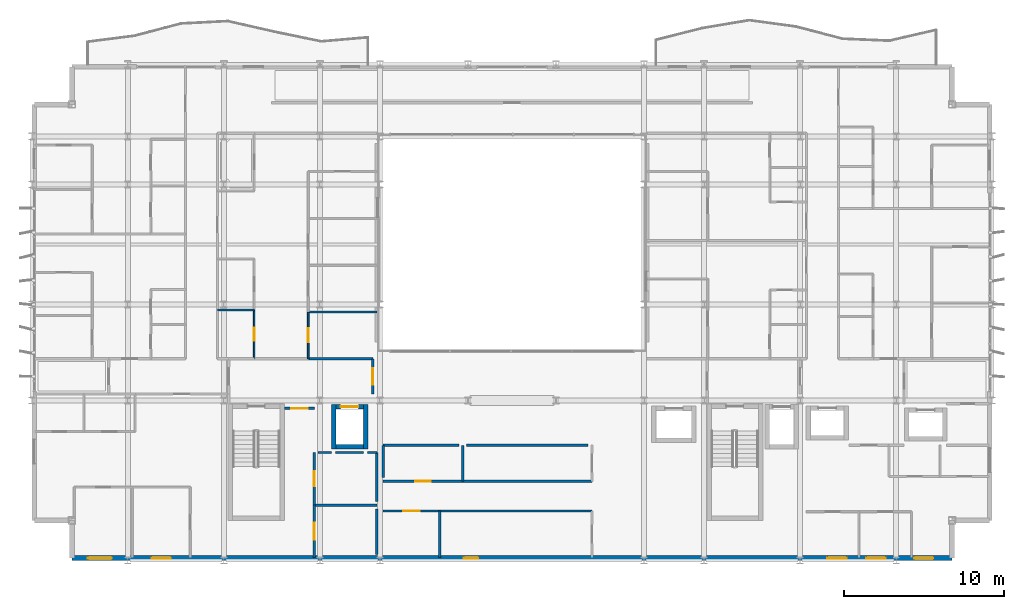
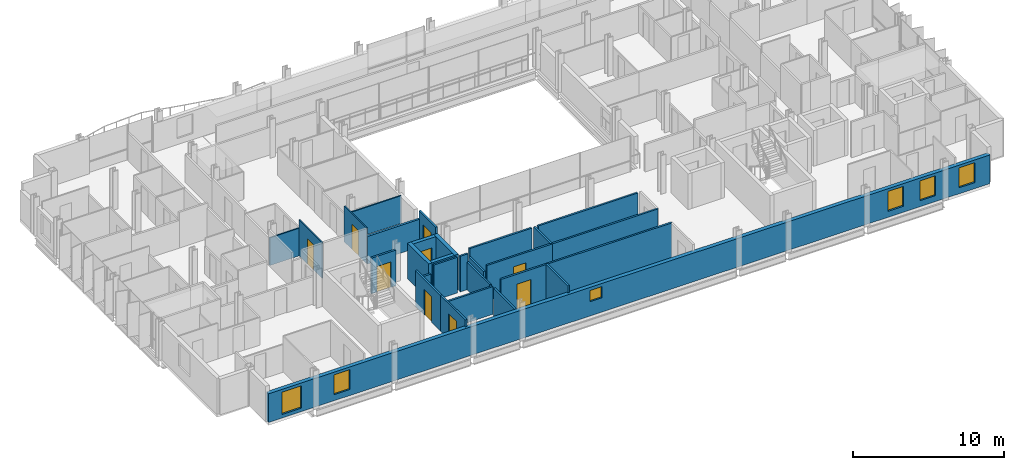
# One storey, part 28 of 38: 29 walls, 9 doors, 6 windows, 15 openings.
"""IFC4 building model written with IfcOpenShell, lengths in metres."""

import ifcopenshell
import ifcopenshell.guid

model = None  # the IFC model being written
_history = None  # IfcOwnerHistory: only IFC2X3 demands one
_inside = {}  # id of a spatial element -> (the spatial element, [elements in it])
_under = {}  # id of a project, library or spatial element -> (it, [spatial elements below it])
_declared = {}  # id of a project -> (the project, [libraries it declares])
_typed = {}  # id of a type object -> (the type object, [elements of that type])
_made_of = {}  # id of a material, layer set ... -> (it, [elements and type objects made of it])


def new_model(schema):
    """Start an empty IFC model of exactly this schema.

    Asked for "IFC4X3", IfcOpenShell would pick the latest addendum, in which some entities
    have other attributes; the version numbers below select the first issue.
    IFC2X3 requires an IfcOwnerHistory on every rooted entity: one is made here for all.
    """
    global model, _history
    if schema == "IFC4X3":
        model = ifcopenshell.file(schema_version=(4, 3, 0, 0))
    else:
        model = ifcopenshell.file(schema=schema)
    _inside.clear()
    _under.clear()
    _declared.clear()
    _typed.clear()
    _made_of.clear()
    _history = None
    if model.schema == "IFC2X3":
        org = make("IfcOrganization", Name="unknown")
        user = make(
            "IfcPersonAndOrganization",
            ThePerson=make("IfcPerson", FamilyName="unknown"),
            TheOrganization=org,
        )
        app = make(
            "IfcApplication",
            ApplicationDeveloper=org,
            Version="unknown",
            ApplicationFullName="unknown",
            ApplicationIdentifier="unknown",
        )
        _history = make(
            "IfcOwnerHistory",
            OwningUser=user,
            OwningApplication=app,
            ChangeAction="ADDED",
            CreationDate=0,
        )
    return model


def make(cls, **values):
    """One entity of the class cls with the attributes given. An attribute that is None is left unset."""
    return model.create_entity(
        cls, **{name: value for name, value in values.items() if value is not None}
    )


def rooted(cls, **values):
    """An entity with a GlobalId (a new one), such as an element, a storey or a relation."""
    return make(cls, GlobalId=ifcopenshell.guid.new(), OwnerHistory=_history, **values)


def si_unit(unit_type, name, prefix=None):
    """IfcSIUnit, for example si_unit("LENGTHUNIT", "METRE", prefix="MILLI")."""
    return make("IfcSIUnit", UnitType=unit_type, Prefix=prefix, Name=name)


def assignment(units):
    """IfcUnitAssignment: the units of a project."""
    return None if units is None else make("IfcUnitAssignment", Units=units)


def point(xyz):
    """IfcCartesianPoint."""
    return None if xyz is None else make("IfcCartesianPoint", Coordinates=xyz)


def direction(xyz):
    """IfcDirection."""
    return None if xyz is None else make("IfcDirection", DirectionRatios=xyz)


def frame(location, z_axis=None, x_axis=None):
    """IfcAxis2Placement3D, a coordinate frame: its origin and axes. An axis left out is left unset."""
    return make(
        "IfcAxis2Placement3D",
        Location=point(location),
        Axis=direction(z_axis),
        RefDirection=direction(x_axis),
    )


def frame_2d(location, x_axis=None):
    """IfcAxis2Placement2D, a coordinate frame in the plane: its origin and x axis."""
    return make(
        "IfcAxis2Placement2D", Location=point(location), RefDirection=direction(x_axis)
    )


def origin():
    """The frame at (0, 0, 0) with its axes left unset."""
    return frame((0.0, 0.0, 0.0))


def place(relative_to, where):
    """IfcLocalPlacement: puts the frame where relative to a parent placement (None: the world)."""
    return make(
        "IfcLocalPlacement", PlacementRelTo=relative_to, RelativePlacement=where
    )


def context(
    kind, dimensions, precision=None, world=None, true_north=None, identifier=None
):
    """IfcGeometricRepresentationContext, for example the 3D "Model" context."""
    return make(
        "IfcGeometricRepresentationContext",
        ContextIdentifier=identifier,
        ContextType=kind,
        CoordinateSpaceDimension=dimensions,
        Precision=precision,
        WorldCoordinateSystem=world,
        TrueNorth=true_north,
    )


def subcontext(parent, identifier, kind, view, scale=None):
    """IfcGeometricRepresentationSubContext, for example "Body" below "Model"."""
    return make(
        "IfcGeometricRepresentationSubContext",
        ContextIdentifier=identifier,
        ContextType=kind,
        ParentContext=parent,
        TargetScale=scale,
        TargetView=view,
    )


def project(units=None, contexts=None):
    """IfcProject with its units and contexts."""
    return rooted(
        "IfcProject",
        Name="project",
        RepresentationContexts=contexts,
        UnitsInContext=assignment(units),
    )


def spatial(cls, under=None, at=None, **own):
    """A site, building, storey or space (cls), placed at a placement, below another one or the project."""
    s = rooted(cls, ObjectPlacement=at, **own)
    if under is not None:
        _under.setdefault(under.id(), (under, []))[1].append(s)
    return s


def profile(cls, at=None, kind="AREA", **sizes):
    """A parametric profile (cls). Its sizes go by their IFC names, for example OverallWidth=200.0."""
    return make(cls, ProfileType=kind, Position=at, **sizes)


def rectangle(**sizes):
    """IfcRectangleProfileDef."""
    return profile("IfcRectangleProfileDef", **sizes)


def extrude(swept, where, along, depth):
    """IfcExtrudedAreaSolid: the profile swept, set in the frame where, extruded along a direction by depth."""
    return make(
        "IfcExtrudedAreaSolid",
        SweptArea=swept,
        Position=where,
        ExtrudedDirection=direction(along),
        Depth=depth,
    )


def shape(context_of_items, identifier, shape_type, items):
    """IfcShapeRepresentation: the items that make up one representation, for example the "Body"."""
    return make(
        "IfcShapeRepresentation",
        ContextOfItems=context_of_items,
        RepresentationIdentifier=identifier,
        RepresentationType=shape_type,
        Items=items,
    )


def material(Name=None, Category=None):
    """IfcMaterial."""
    return make("IfcMaterial", Name=Name, Category=Category)


def layer(
    of_material, thickness, ventilated=None, Name=None, Category=None, Priority=None
):
    """IfcMaterialLayer: one layer of a wall or slab, of a material (None: an air gap)."""
    return make(
        "IfcMaterialLayer",
        Material=of_material,
        LayerThickness=thickness,
        IsVentilated=ventilated,
        Name=Name,
        Category=Category,
        Priority=Priority,
    )


def layer_set(layers, Name=None):
    """IfcMaterialLayerSet."""
    return make("IfcMaterialLayerSet", MaterialLayers=layers, LayerSetName=Name)


def made_of(thing, what):
    """Note that an element or type object is made of a material, layer set ...; save() writes the relation."""
    if what is not None:
        _made_of.setdefault(what.id(), (what, []))[1].append(thing)
    return thing


def type_object(cls, material=None, **own):
    """A type object (cls), such as IfcWallType, which elements share."""
    return made_of(rooted(cls, **own), material)


def element(
    cls,
    number,
    at=None,
    inside=None,
    cuts=None,
    type_object=None,
    material=None,
    context=None,
    identifier="Body",
    shape_type=None,
    held_by="IfcProductDefinitionShape",
    body=None,
    shapes=None,
    **own,
):
    """One element of the class cls, such as IfcWall. Its Tag is "e" and its number.

    at: its placement. inside: the storey or other place that contains it. cuts: it is an
    opening in that element (IfcRelVoidsElement). A single representation is given by context,
    identifier, shape_type and body (its items); several are given by shapes. held_by: the class
    of the entity that holds the representations. save() writes the other relations.
    """
    e = rooted(cls, Tag="e%d" % number, ObjectPlacement=at, **own)
    if body is not None:
        shapes = [shape(context, identifier, shape_type, body)]
    if shapes is not None:
        e.Representation = make(held_by, Representations=shapes)
    if inside is not None:
        _inside.setdefault(inside.id(), (inside, []))[1].append(e)
    if cuts is not None:
        rooted(
            "IfcRelVoidsElement", RelatingBuildingElement=cuts, RelatedOpeningElement=e
        )
    if type_object is not None:
        _typed.setdefault(type_object.id(), (type_object, []))[1].append(e)
    return made_of(e, material)


def fill(opening, filler):
    """IfcRelFillsElement: the door or window that sits in an opening."""
    return rooted(
        "IfcRelFillsElement",
        RelatingOpeningElement=opening,
        RelatedBuildingElement=filler,
    )


def aggregate(whole, parts):
    """IfcRelAggregates: a whole, such as a stair, and the parts it consists of."""
    return rooted("IfcRelAggregates", RelatingObject=whole, RelatedObjects=parts)


def save(model, path):
    """Write the relations noted so far, then the file.

    IfcRelAggregates (storeys below a building ...), IfcRelContainedInSpatialStructure (elements
    in a storey), IfcRelDefinesByType, IfcRelAssociatesMaterial and IfcRelDeclares: one each for
    every whole, place, type object, material and project.
    """
    for whole, parts in _under.values():
        aggregate(whole, parts)
    for where, things in _inside.values():
        rooted(
            "IfcRelContainedInSpatialStructure",
            RelatedElements=things,
            RelatingStructure=where,
        )
    for kind, things in _typed.values():
        rooted("IfcRelDefinesByType", RelatedObjects=things, RelatingType=kind)
    for what, things in _made_of.values():
        rooted("IfcRelAssociatesMaterial", RelatedObjects=things, RelatingMaterial=what)
    for by, libraries in _declared.values():
        rooted("IfcRelDeclares", RelatingContext=by, RelatedDefinitions=libraries)
    model.write(path)


model = new_model("IFC4")

# Units and contexts
model_context = context("Model", 3, precision=1e-05, world=origin(), true_north=direction((0.0, 1.0)))
body_context = subcontext(model_context, "Body", "Model", "MODEL_VIEW")
ifc_project = project(units=[si_unit("LENGTHUNIT", "METRE"), si_unit("AREAUNIT", "SQUARE_METRE"), si_unit("VOLUMEUNIT", "CUBIC_METRE"), si_unit("PLANEANGLEUNIT", "RADIAN"), si_unit("MASSUNIT", "GRAM", prefix="KILO")], contexts=[model_context])

# Site, building, storey
site_placement = place(None, origin())
site = spatial("IfcSite", under=ifc_project, at=site_placement, CompositionType="ELEMENT")
building_placement = place(site_placement, origin())
building = spatial("IfcBuilding", under=site, at=building_placement, Name="Brevholm Reach", CompositionType="ELEMENT")
storey_placement = place(building_placement, frame((0.0, 0.0, 65.199951171875)))
storey = spatial("IfcBuildingStorey", under=building, at=storey_placement, Name="L18", CompositionType="ELEMENT", Elevation=65.199951171875)

# Walls
ifc_material_1 = material(Name="Concrete C50/60", Category="concrete")
ifc_layer_1 = layer(ifc_material_1, 0.280029296875)
ifc_layer_set_1 = layer_set([ifc_layer_1], Name="Concrete C50/60")
wall_type_1 = type_object("IfcWallType", Name="WAL-COR-280", PredefinedType="SHEAR", material=ifc_layer_set_1)
for number, where, z_axis, x_axis, name in (
    (1, (18.85009765625, 6.9599609375, 0.0), (0.0, 0.0, 1.0), (0.0, 1.0, 0.0), "L18 Lift FFL-1 Shaft Wall W"),
    (2, (20.85009765625, 6.9599609375, 0.0), (0.0, 0.0, 1.0), (0.0, 1.0, 0.0), "L18 Lift FFL-1 Shaft Wall E"),
):
    element("IfcWall", number, at=place(storey_placement, frame(where, z_axis=z_axis, x_axis=x_axis)), inside=storey, type_object=wall_type_1, Name=name, PredefinedType="SHEAR", context=body_context, shape_type="SweptSolid", body=[
        extrude(rectangle(XDim=2.780029296875, YDim=0.280029296875, at=frame_2d((1.39013671875, 0.0))), origin(), (0.0, 0.0, 1.0), 2.8701171875),
    ])
wall_1_placement = place(storey_placement, frame((18.989990234375, 7.10009765625, 0.0), z_axis=(0.0, 0.0, 1.0), x_axis=(1.0, 0.0, 0.0)))
element("IfcWall", 3, at=wall_1_placement, inside=storey, type_object=wall_type_1, Name="L18 Lift FFL-1 Shaft Wall S", PredefinedType="SHEAR", context=body_context, shape_type="SweptSolid", body=[
    extrude(rectangle(XDim=1.719970703125, YDim=0.280029296875, at=frame_2d((0.85986328125, 0.0))), origin(), (0.0, 0.0, 1.0), 2.8701171875),
])

# Wall, opening, door
wall_2_placement = place(storey_placement, frame((18.989990234375, 9.60009765625, 0.0), z_axis=(0.0, 0.0, 1.0), x_axis=(1.0, 0.0, 0.0)))
wall_2 = element("IfcWall", 4, at=wall_2_placement, inside=storey, type_object=wall_type_1, Name="L18 Lift FFL-1 Shaft Wall N", PredefinedType="SHEAR", context=body_context, shape_type="SweptSolid", body=[
    extrude(rectangle(XDim=1.719970703125, YDim=0.280029296875, at=frame_2d((0.85986328125, 0.0))), origin(), (0.0, 0.0, 1.0), 2.8701171875),
])
opening_1_placement = place(wall_2_placement, frame((0.31005859375, 0.0, 0.0)))
opening_1 = element("IfcOpeningElement", 5, at=opening_1_placement, cuts=wall_2, Name="Opening LD-FFL-1", PredefinedType="OPENING", context=body_context, shape_type="SweptSolid", body=[
    extrude(rectangle(XDim=1.10009765625, YDim=2.06005859375, at=frame_2d((0.550048828125, 1.030029296875))), frame((0.0, 0.14990234375, 0.0), z_axis=(0.0, -1.0, 0.0), x_axis=(1.0, 0.0, 0.0)), (0.0, 0.0, 1.0), 0.300048828125),
])
ifc_material_2 = material(Name="Brushed Stainless Steel Fire-Rated Sliding Lift Door", Category="steel")
door_type_1 = type_object("IfcDoorType", Name="DOR-LFT-1100", OperationType="NOTDEFINED", PredefinedType="DOOR", material=ifc_material_2)
door_1_placement = place(opening_1_placement, origin())
door_1 = element("IfcDoor", 6, at=door_1_placement, inside=storey, type_object=door_type_1, Name="L18 Lift FFL-1 Sliding Landing Door", OperationType="SLIDING_TO_RIGHT", OverallHeight=2.06005859375, OverallWidth=1.10009765625, PredefinedType="DOOR", context=body_context, shape_type="SweptSolid", body=[
    extrude(rectangle(XDim=1.10009765625, YDim=2.06005859375, at=frame_2d((0.550048828125, 1.030029296875))), frame((0.0, 0.02490234375, 0.0), z_axis=(0.0, -1.0, 0.0), x_axis=(1.0, 0.0, 0.0)), (0.0, 0.0, 1.0), 0.050048828125),
])
fill(opening_1, door_1)

# Wall, openings, windows
ifc_material_3 = material(Name="Concrete C40/50", Category="concrete")
ifc_layer_2 = layer(ifc_material_3, 0.300048828125)
ifc_layer_set_2 = layer_set([ifc_layer_2], Name="Concrete C40/50")
wall_type_2 = type_object("IfcWallType", Name="WAL-EXT-300", PredefinedType="STANDARD", material=ifc_layer_set_2)
wall_3_placement = place(storey_placement, frame((2.5, 0.14990234375, 0.0), z_axis=(0.0, 0.0, 1.0), x_axis=(1.0, 0.0, 0.0)))
wall_3 = element("IfcWall", 7, at=wall_3_placement, inside=storey, type_object=wall_type_2, Name="L18 Facade Wall WAL-L18-S", PredefinedType="STANDARD", context=body_context, shape_type="SweptSolid", body=[
    extrude(rectangle(XDim=55.0, YDim=0.300048828125, at=frame_2d((27.5, 0.0))), origin(), (0.0, 0.0, 1.0), 2.3056640625),
])
opening_2_placement = place(wall_3_placement, frame((1.0, 0.0, 0.284912109375)))
opening_2 = element("IfcOpeningElement", 8, at=opening_2_placement, cuts=wall_3, Name="Opening WN-05", PredefinedType="OPENING", context=body_context, shape_type="SweptSolid", body=[
    extrude(rectangle(XDim=1.5, YDim=1.800048828125, at=frame_2d((0.75, 0.89990234375))), frame((0.0, 0.159912109375, 0.0), z_axis=(0.0, -1.0, 0.0), x_axis=(1.0, 0.0, 0.0)), (0.0, 0.0, 1.0), 0.320068359375),
])
opening_3_placement = place(wall_3_placement, frame((24.5, 0.0, 1.14990234375)))
opening_3 = element("IfcOpeningElement", 9, at=opening_3_placement, cuts=wall_3, Name="Opening WN-09", PredefinedType="OPENING", context=body_context, shape_type="SweptSolid", body=[
    extrude(rectangle(XDim=0.89990234375, YDim=0.89990234375, at=frame_2d((0.449951171875, 0.449951171875))), frame((0.0, 0.159912109375, 0.0), z_axis=(0.0, -1.0, 0.0), x_axis=(1.0, 0.0, 0.0)), (0.0, 0.0, 1.0), 0.320068359375),
])
opening_4_placement = place(wall_3_placement, frame((47.199951171875, 0.0, 0.485107421875)))
opening_4 = element("IfcOpeningElement", 10, at=opening_4_placement, cuts=wall_3, Name="Opening WN-08", PredefinedType="OPENING", context=body_context, shape_type="SweptSolid", body=[
    extrude(rectangle(XDim=1.199951171875, YDim=1.60009765625, at=frame_2d((0.60009765625, 0.800048828125))), frame((0.0, 0.159912109375, 0.0), z_axis=(0.0, -1.0, 0.0), x_axis=(1.0, 0.0, 0.0)), (0.0, 0.0, 1.0), 0.320068359375),
])
opening_5_placement = place(wall_3_placement, frame((52.6298828125, 0.0, 0.485107421875)))
opening_5 = element("IfcOpeningElement", 11, at=opening_5_placement, cuts=wall_3, Name="Opening WN-08", PredefinedType="OPENING", context=body_context, shape_type="SweptSolid", body=[
    extrude(rectangle(XDim=1.199951171875, YDim=1.60009765625, at=frame_2d((0.60009765625, 0.800048828125))), frame((0.0, 0.159912109375, 0.0), z_axis=(0.0, -1.0, 0.0), x_axis=(1.0, 0.0, 0.0)), (0.0, 0.0, 1.0), 0.320068359375),
])
opening_6_placement = place(wall_3_placement, frame((4.987548828125, 0.0, 0.485595703125)))
opening_6 = element("IfcOpeningElement", 12, at=opening_6_placement, cuts=wall_3, Name="Opening WN-08", PredefinedType="OPENING", context=body_context, shape_type="SweptSolid", body=[
    extrude(rectangle(XDim=1.199951171875, YDim=1.60009765625, at=frame_2d((0.60009765625, 0.800048828125))), frame((0.0, 0.159912109375, 0.0), z_axis=(0.0, -1.0, 0.0), x_axis=(1.0, 0.0, 0.0)), (0.0, 0.0, 1.0), 0.320068359375),
])
opening_7_placement = place(wall_3_placement, frame((49.638671875, 0.0, 0.485595703125)))
opening_7 = element("IfcOpeningElement", 13, at=opening_7_placement, cuts=wall_3, Name="Opening WN-08", PredefinedType="OPENING", context=body_context, shape_type="SweptSolid", body=[
    extrude(rectangle(XDim=1.199951171875, YDim=1.60009765625, at=frame_2d((0.60009765625, 0.800048828125))), frame((0.0, 0.159912109375, 0.0), z_axis=(0.0, -1.0, 0.0), x_axis=(1.0, 0.0, 0.0)), (0.0, 0.0, 1.0), 0.320068359375),
])
ifc_material_4 = material(Name="Dark Anodised Aluminium and Solar-Control IGU Glass", Category="aluminium")
window_type_1 = type_object("IfcWindowType", Name="WIN-POR-0900", PartitioningType="SINGLE_PANEL", PredefinedType="WINDOW", material=ifc_material_4)
window_1_placement = place(opening_3_placement, origin())
window_1 = element("IfcWindow", 14, at=window_1_placement, inside=storey, type_object=window_type_1, Name="L18 Window WIN-L18-S-POR", OverallHeight=0.89990234375, OverallWidth=0.89990234375, PartitioningType="SINGLE_PANEL", PredefinedType="WINDOW", context=body_context, shape_type="SweptSolid", body=[
    extrude(rectangle(XDim=0.89990234375, YDim=0.89990234375, at=frame_2d((0.449951171875, 0.449951171875))), frame((0.0, 0.030029296875, 0.0), z_axis=(0.0, -1.0, 0.0), x_axis=(1.0, 0.0, 0.0)), (0.0, 0.0, 1.0), 0.06005859375),
])
fill(opening_3, window_1)
ifc_material_5 = material(Name="Dark Anodised Aluminium and Solar-Control IGU Glass", Category="aluminium")
window_type_2 = type_object("IfcWindowType", Name="WIN-RES-1200", PartitioningType="SINGLE_PANEL", PredefinedType="WINDOW", material=ifc_material_5)
window_2_placement = place(opening_4_placement, origin())
window_2 = element("IfcWindow", 15, at=window_2_placement, inside=storey, type_object=window_type_2, Name="L18 Window WIN-L18-S-E1", OverallHeight=1.60009765625, OverallWidth=1.199951171875, PartitioningType="SINGLE_PANEL", PredefinedType="WINDOW", context=body_context, shape_type="SweptSolid", body=[
    extrude(rectangle(XDim=1.199951171875, YDim=1.60009765625, at=frame_2d((0.60009765625, 0.800048828125))), frame((0.0, 0.030029296875, 0.0), z_axis=(0.0, -1.0, 0.0), x_axis=(1.0, 0.0, 0.0)), (0.0, 0.0, 1.0), 0.06005859375),
])
fill(opening_4, window_2)
window_3_placement = place(opening_5_placement, origin())
window_3 = element("IfcWindow", 16, at=window_3_placement, inside=storey, type_object=window_type_2, Name="L18 Window WIN-L18-S-E2", OverallHeight=1.60009765625, OverallWidth=1.199951171875, PartitioningType="SINGLE_PANEL", PredefinedType="WINDOW", context=body_context, shape_type="SweptSolid", body=[
    extrude(rectangle(XDim=1.199951171875, YDim=1.60009765625, at=frame_2d((0.60009765625, 0.800048828125))), frame((0.0, 0.030029296875, 0.0), z_axis=(0.0, -1.0, 0.0), x_axis=(1.0, 0.0, 0.0)), (0.0, 0.0, 1.0), 0.06005859375),
])
fill(opening_5, window_3)
window_4_placement = place(opening_6_placement, origin())
window_4 = element("IfcWindow", 17, at=window_4_placement, inside=storey, type_object=window_type_2, Name="L18 Bedroom Window 014", OverallHeight=1.60009765625, OverallWidth=1.199951171875, PartitioningType="SINGLE_PANEL", PredefinedType="WINDOW", context=body_context, shape_type="SweptSolid", body=[
    extrude(rectangle(XDim=1.199951171875, YDim=1.60009765625, at=frame_2d((0.60009765625, 0.800048828125))), frame((0.0, 0.030029296875, 0.0), z_axis=(0.0, -1.0, 0.0), x_axis=(1.0, 0.0, 0.0)), (0.0, 0.0, 1.0), 0.06005859375),
])
fill(opening_6, window_4)
window_5_placement = place(opening_7_placement, origin())
window_5 = element("IfcWindow", 18, at=window_5_placement, inside=storey, type_object=window_type_2, Name="L18 Bedroom Window 015", OverallHeight=1.60009765625, OverallWidth=1.199951171875, PartitioningType="SINGLE_PANEL", PredefinedType="WINDOW", context=body_context, shape_type="SweptSolid", body=[
    extrude(rectangle(XDim=1.199951171875, YDim=1.60009765625, at=frame_2d((0.60009765625, 0.800048828125))), frame((0.0, 0.030029296875, 0.0), z_axis=(0.0, -1.0, 0.0), x_axis=(1.0, 0.0, 0.0)), (0.0, 0.0, 1.0), 0.06005859375),
])
fill(opening_7, window_5)
ifc_material_6 = material(Name="Dark Anodised Aluminium and Solar-Control IGU Glass", Category="aluminium")
window_type_3 = type_object("IfcWindowType", Name="WIN-RES-1500", PartitioningType="SINGLE_PANEL", PredefinedType="WINDOW", material=ifc_material_6)
window_6_placement = place(opening_2_placement, origin())
window_6 = element("IfcWindow", 19, at=window_6_placement, inside=storey, type_object=window_type_3, Name="L18 Window WIN-L18-S-W1", OverallHeight=1.800048828125, OverallWidth=1.5, PartitioningType="SINGLE_PANEL", PredefinedType="WINDOW", context=body_context, shape_type="SweptSolid", body=[
    extrude(rectangle(XDim=1.5, YDim=1.800048828125, at=frame_2d((0.75, 0.89990234375))), frame((0.0, 0.030029296875, 0.0), z_axis=(0.0, -1.0, 0.0), x_axis=(1.0, 0.0, 0.0)), (0.0, 0.0, 1.0), 0.06005859375),
])
fill(opening_2, window_6)

# Wall
ifc_material_7 = material(Name="Moisture-Resistant Acoustic Gypsum Stud Partition 100 mm", Category="gypsum")
ifc_layer_3 = layer(ifc_material_7, 0.10009765625)
ifc_layer_set_3 = layer_set([ifc_layer_3], Name="Moisture-Resistant Acoustic Gypsum Stud Partition 100 mm")
wall_type_3 = type_object("IfcWallType", Name="WAL-PRT-100", PredefinedType="PARTITIONING", material=ifc_layer_set_3)
wall_4_placement = place(storey_placement, frame((11.60400390625, 15.64990234375, 0.0), z_axis=(0.0, 0.0, 1.0), x_axis=(1.0, 0.0, 0.0)))
element("IfcWall", 20, at=wall_4_placement, inside=storey, type_object=wall_type_3, Name="L18 Internal Partition 108", PredefinedType="PARTITIONING", context=body_context, shape_type="SweptSolid", body=[
    extrude(rectangle(XDim=2.284912109375, YDim=0.10009765625, at=frame_2d((1.142578125, 0.0))), origin(), (0.0, 0.0, 1.0), 2.224853515625),
])

# Wall, opening, door
wall_5_placement = place(storey_placement, frame((13.888916015625, 12.60400390625, 0.0), z_axis=(0.0, 0.0, 1.0), x_axis=(0.0, 1.0, 0.0)))
wall_5 = element("IfcWall", 21, at=wall_5_placement, inside=storey, type_object=wall_type_3, Name="L18 Internal Partition 109", PredefinedType="PARTITIONING", context=body_context, shape_type="SweptSolid", body=[
    extrude(rectangle(XDim=3.0458984375, YDim=0.10009765625, at=frame_2d((1.52294921875, 0.0))), origin(), (0.0, 0.0, 1.0), 2.8701171875),
])
opening_8_placement = place(wall_5_placement, frame((1.113037109375, 0.0, 0.0)))
opening_8 = element("IfcOpeningElement", 22, at=opening_8_placement, cuts=wall_5, Name="Opening ID-03", PredefinedType="OPENING", context=body_context, shape_type="SweptSolid", body=[
    extrude(rectangle(XDim=0.820068359375, YDim=2.02001953125, at=frame_2d((0.41015625, 1.010009765625))), frame((0.0, 0.06005859375, 0.0), z_axis=(0.0, -1.0, 0.0), x_axis=(1.0, 0.0, 0.0)), (0.0, 0.0, 1.0), 0.1201171875),
])
ifc_material_8 = material(Name="Moisture-Resistant Painted Timber Internal Bathroom Door", Category="wood")
door_type_2 = type_object("IfcDoorType", Name="DOR-BATH-820", OperationType="NOTDEFINED", PredefinedType="DOOR", material=ifc_material_8)
door_2_placement = place(opening_8_placement, origin())
door_2 = element("IfcDoor", 23, at=door_2_placement, inside=storey, type_object=door_type_2, Name="L18 Internal Door 040", OperationType="SINGLE_SWING_RIGHT", OverallHeight=2.02001953125, OverallWidth=0.820068359375, PredefinedType="DOOR", context=body_context, shape_type="SweptSolid", body=[
    extrude(rectangle(XDim=0.820068359375, YDim=2.02001953125, at=frame_2d((0.41015625, 1.010009765625))), frame((0.0, 0.02490234375, 0.0), z_axis=(0.0, -1.0, 0.0), x_axis=(1.0, 0.0, 0.0)), (0.0, 0.0, 1.0), 0.050048828125),
])
fill(opening_8, door_2)

# Wall
wall_6_placement = place(storey_placement, frame((17.27099609375, 15.52490234375, 0.0), z_axis=(0.0, 0.0, 1.0), x_axis=(1.0, 0.0, 0.0)))
element("IfcWall", 24, at=wall_6_placement, inside=storey, type_object=wall_type_3, Name="L18 Internal Partition 114", PredefinedType="PARTITIONING", context=body_context, shape_type="SweptSolid", body=[
    extrude(rectangle(XDim=4.279052734375, YDim=0.10009765625, at=frame_2d((2.1396484375, 0.0))), origin(), (0.0, 0.0, 1.0), 2.224853515625),
])

# Wall, opening, door
wall_7_placement = place(storey_placement, frame((17.27099609375, 12.60400390625, 0.0), z_axis=(0.0, 0.0, 1.0), x_axis=(0.0, 1.0, 0.0)))
wall_7 = element("IfcWall", 25, at=wall_7_placement, inside=storey, type_object=wall_type_3, Name="L18 Internal Partition 115", PredefinedType="PARTITIONING", context=body_context, shape_type="SweptSolid", body=[
    extrude(rectangle(XDim=2.9208984375, YDim=0.10009765625, at=frame_2d((1.46044921875, 0.0))), origin(), (0.0, 0.0, 1.0), 2.8701171875),
])
opening_9_placement = place(wall_7_placement, frame((1.0205078125, 0.0, 0.0)))
opening_9 = element("IfcOpeningElement", 26, at=opening_9_placement, cuts=wall_7, Name="Opening ID-01", PredefinedType="OPENING", context=body_context, shape_type="SweptSolid", body=[
    extrude(rectangle(XDim=0.8798828125, YDim=2.0400390625, at=frame_2d((0.43994140625, 1.02001953125))), frame((0.0, 0.06005859375, 0.0), z_axis=(0.0, -1.0, 0.0), x_axis=(1.0, 0.0, 0.0)), (0.0, 0.0, 1.0), 0.1201171875),
])
ifc_material_9 = material(Name="Lacquered Ash Solid-Core Acoustic Internal Door", Category="timber")
door_type_3 = type_object("IfcDoorType", Name="DOR-INT-880", OperationType="NOTDEFINED", PredefinedType="DOOR", material=ifc_material_9)
door_3_placement = place(opening_9_placement, origin())
door_3 = element("IfcDoor", 27, at=door_3_placement, inside=storey, type_object=door_type_3, Name="L18 Internal Door 043", OperationType="SINGLE_SWING_LEFT", OverallHeight=2.0400390625, OverallWidth=0.8798828125, PredefinedType="DOOR", context=body_context, shape_type="SweptSolid", body=[
    extrude(rectangle(XDim=0.8798828125, YDim=2.0400390625, at=frame_2d((0.43994140625, 1.02001953125))), frame((0.0, 0.02490234375, 0.0), z_axis=(0.0, -1.0, 0.0), x_axis=(1.0, 0.0, 0.0)), (0.0, 0.0, 1.0), 0.050048828125),
])
fill(opening_9, door_3)

ifc_material_10 = material(Name="Twin-Stud Acoustic Fire-Rated Gypsum Partition 140 mm", Category="gypsum")
ifc_layer_4 = layer(ifc_material_10, 0.139892578125)
ifc_layer_set_4 = layer_set([ifc_layer_4], Name="Twin-Stud Acoustic Fire-Rated Gypsum Partition 140 mm")
wall_type_4 = type_object("IfcWallType", Name="WAL-PRT-140", PredefinedType="PARTITIONING", material=ifc_layer_set_4)
wall_8_placement = place(storey_placement, frame((21.949951171875, 3.10009765625, 0.0), z_axis=(0.0, 0.0, 1.0), x_axis=(1.0, 0.0, 0.0)))
wall_8 = element("IfcWall", 28, at=wall_8_placement, inside=storey, type_object=wall_type_4, Name="L18 Internal Partition 003", PredefinedType="PARTITIONING", context=body_context, shape_type="SweptSolid", body=[
    extrude(rectangle(XDim=3.541259765625, YDim=0.139892578125, at=frame_2d((1.7705078125, 0.0))), origin(), (0.0, 0.0, 1.0), 2.8701171875),
])
opening_10_placement = place(wall_8_placement, frame((1.24560546875, 0.0, 0.0)))
opening_10 = element("IfcOpeningElement", 29, at=opening_10_placement, cuts=wall_8, Name="Opening FD-01", PredefinedType="OPENING", context=body_context, shape_type="SweptSolid", body=[
    extrude(rectangle(XDim=1.050048828125, YDim=2.06005859375, at=frame_2d((0.52490234375, 1.030029296875))), frame((0.0, 0.079833984375, 0.0), z_axis=(0.0, -1.0, 0.0), x_axis=(1.0, 0.0, 0.0)), (0.0, 0.0, 1.0), 0.159912109375),
])
ifc_material_11 = material(Name="Hardwood-Lipped Steel-Core Fire and Smoke Door", Category="steel")
door_type_4 = type_object("IfcDoorType", Name="DOR-INT-FD60S", OperationType="NOTDEFINED", PredefinedType="DOOR", material=ifc_material_11)
door_4_placement = place(opening_10_placement, origin())
door_4 = element("IfcDoor", 30, at=door_4_placement, inside=storey, type_object=door_type_4, Name="L18 Internal Door 003", OperationType="SINGLE_SWING_LEFT", OverallHeight=2.06005859375, OverallWidth=1.050048828125, PredefinedType="DOOR", context=body_context, shape_type="SweptSolid", body=[
    extrude(rectangle(XDim=1.050048828125, YDim=2.06005859375, at=frame_2d((0.52490234375, 1.030029296875))), frame((0.0, 0.02490234375, 0.0), z_axis=(0.0, -1.0, 0.0), x_axis=(1.0, 0.0, 0.0)), (0.0, 0.0, 1.0), 0.050048828125),
])
fill(opening_10, door_4)

# Wall
wall_9_placement = place(storey_placement, frame((25.47265625, 3.10009765625, 0.0), z_axis=(0.0, 0.0, 1.0), x_axis=(1.0, 0.0, 0.0)))
element("IfcWall", 31, at=wall_9_placement, inside=storey, type_object=wall_type_4, Name="L18 Internal Partition 004", PredefinedType="PARTITIONING", context=body_context, shape_type="SweptSolid", body=[
    extrude(rectangle(XDim=9.5234375, YDim=0.139892578125, at=frame_2d((4.76171875, 0.0))), origin(), (0.0, 0.0, 1.0), 2.8701171875),
])

# Wall, opening, door
wall_10_placement = place(storey_placement, frame((21.949951171875, 4.949951171875, 0.0), z_axis=(0.0, 0.0, 1.0), x_axis=(1.0, 0.0, 0.0)))
wall_10 = element("IfcWall", 32, at=wall_10_placement, inside=storey, type_object=wall_type_4, Name="L18 Internal Partition 005", PredefinedType="PARTITIONING", context=body_context, shape_type="SweptSolid", body=[
    extrude(rectangle(XDim=4.991455078125, YDim=0.139892578125, at=frame_2d((2.49560546875, 0.0))), origin(), (0.0, 0.0, 1.0), 2.8701171875),
])
opening_11_placement = place(wall_10_placement, frame((2.0205078125, 0.0, 0.0)))
opening_11 = element("IfcOpeningElement", 33, at=opening_11_placement, cuts=wall_10, Name="Opening ID-30", PredefinedType="OPENING", context=body_context, shape_type="SweptSolid", body=[
    extrude(rectangle(XDim=0.949951171875, YDim=2.050048828125, at=frame_2d((0.47509765625, 1.02490234375))), frame((0.0, 0.079833984375, 0.0), z_axis=(0.0, -1.0, 0.0), x_axis=(1.0, 0.0, 0.0)), (0.0, 0.0, 1.0), 0.159912109375),
])
ifc_material_12 = material(Name="European Oak Veneered Solid-Core Fire Entrance Door", Category="timber")
door_type_5 = type_object("IfcDoorType", Name="DOR-FLT-FD30S", OperationType="NOTDEFINED", PredefinedType="DOOR", material=ifc_material_12)
door_5_placement = place(opening_11_placement, origin())
door_5 = element("IfcDoor", 34, at=door_5_placement, inside=storey, type_object=door_type_5, Name="L18 Internal Door 004", OperationType="SINGLE_SWING_RIGHT", OverallHeight=2.050048828125, OverallWidth=0.949951171875, PredefinedType="DOOR", context=body_context, shape_type="SweptSolid", body=[
    extrude(rectangle(XDim=0.949951171875, YDim=2.050048828125, at=frame_2d((0.47509765625, 1.02490234375))), frame((0.0, 0.02490234375, 0.0), z_axis=(0.0, -1.0, 0.0), x_axis=(1.0, 0.0, 0.0)), (0.0, 0.0, 1.0), 0.050048828125),
])
fill(opening_11, door_5)

# Walls
wall_11_placement = place(storey_placement, frame((26.922607421875, 4.949951171875, 0.0), z_axis=(0.0, 0.0, 1.0), x_axis=(1.0, 0.0, 0.0)))
element("IfcWall", 35, at=wall_11_placement, inside=storey, type_object=wall_type_4, Name="L18 Internal Partition 006", PredefinedType="PARTITIONING", context=body_context, shape_type="SweptSolid", body=[
    extrude(rectangle(XDim=8.073486328125, YDim=0.139892578125, at=frame_2d((4.03662109375, 0.0))), origin(), (0.0, 0.0, 1.0), 2.8701171875),
])
wall_12_placement = place(storey_placement, frame((25.47998046875, 0.179931640625, 0.0), z_axis=(0.0, 0.0, 1.0), x_axis=(0.0, 1.0, 0.0)))
element("IfcWall", 36, at=wall_12_placement, inside=storey, type_object=wall_type_4, Name="L18 Internal Partition 007", PredefinedType="PARTITIONING", context=body_context, shape_type="SweptSolid", body=[
    extrude(rectangle(XDim=2.916015625, YDim=0.139892578125, at=frame_2d((1.4580078125, 0.0))), origin(), (0.0, 0.0, 1.0), 2.8701171875),
])
wall_13_placement = place(storey_placement, frame((26.929931640625, 4.9541015625, 0.0), z_axis=(0.0, 0.0, 1.0), x_axis=(0.0, 1.0, 0.0)))
element("IfcWall", 37, at=wall_13_placement, inside=storey, type_object=wall_type_4, Name="L18 Internal Partition 008", PredefinedType="PARTITIONING", context=body_context, shape_type="SweptSolid", body=[
    extrude(rectangle(XDim=2.245849609375, YDim=0.139892578125, at=frame_2d((1.123046875, 0.0))), origin(), (0.0, 0.0, 1.0), 2.8701171875),
])

# Wall, opening, door
wall_14_placement = place(storey_placement, frame((17.64990234375, 0.179931640625, 0.0), z_axis=(0.0, 0.0, 1.0), x_axis=(0.0, 1.0, 0.0)))
wall_14 = element("IfcWall", 38, at=wall_14_placement, inside=storey, type_object=wall_type_4, Name="L18 Internal Partition 009", PredefinedType="PARTITIONING", context=body_context, shape_type="SweptSolid", body=[
    extrude(rectangle(XDim=3.28125, YDim=0.139892578125, at=frame_2d((1.640625, 0.0))), origin(), (0.0, 0.0, 1.0), 2.8701171875),
])
opening_12_placement = place(wall_14_placement, frame((1.11572265625, 0.0, 0.0)))
opening_12 = element("IfcOpeningElement", 39, at=opening_12_placement, cuts=wall_14, Name="Opening FD-01", PredefinedType="OPENING", context=body_context, shape_type="SweptSolid", body=[
    extrude(rectangle(XDim=1.050048828125, YDim=2.06005859375, at=frame_2d((0.52490234375, 1.030029296875))), frame((0.0, 0.079833984375, 0.0), z_axis=(0.0, -1.0, 0.0), x_axis=(1.0, 0.0, 0.0)), (0.0, 0.0, 1.0), 0.159912109375),
])
door_6_placement = place(opening_12_placement, origin())
door_6 = element("IfcDoor", 40, at=door_6_placement, inside=storey, type_object=door_type_4, Name="L18 Internal Door 005", OperationType="SINGLE_SWING_LEFT", OverallHeight=2.06005859375, OverallWidth=1.050048828125, PredefinedType="DOOR", context=body_context, shape_type="SweptSolid", body=[
    extrude(rectangle(XDim=1.050048828125, YDim=2.06005859375, at=frame_2d((0.52490234375, 1.030029296875))), frame((0.0, 0.02490234375, 0.0), z_axis=(0.0, -1.0, 0.0), x_axis=(1.0, 0.0, 0.0)), (0.0, 0.0, 1.0), 0.050048828125),
])
fill(opening_12, door_6)

wall_15_placement = place(storey_placement, frame((17.64990234375, 3.442626953125, 0.0), z_axis=(0.0, 0.0, 1.0), x_axis=(0.0, 1.0, 0.0)))
wall_15 = element("IfcWall", 41, at=wall_15_placement, inside=storey, type_object=wall_type_4, Name="L18 Internal Partition 010", PredefinedType="PARTITIONING", context=body_context, shape_type="SweptSolid", body=[
    extrude(rectangle(XDim=3.318603515625, YDim=0.139892578125, at=frame_2d((1.6591796875, 0.0))), origin(), (0.0, 0.0, 1.0), 2.8701171875),
])
opening_13_placement = place(wall_15_placement, frame((1.184326171875, 0.0, 0.0)))
opening_13 = element("IfcOpeningElement", 42, at=opening_13_placement, cuts=wall_15, Name="Opening ID-30", PredefinedType="OPENING", context=body_context, shape_type="SweptSolid", body=[
    extrude(rectangle(XDim=0.949951171875, YDim=2.050048828125, at=frame_2d((0.47509765625, 1.02490234375))), frame((0.0, 0.079833984375, 0.0), z_axis=(0.0, -1.0, 0.0), x_axis=(1.0, 0.0, 0.0)), (0.0, 0.0, 1.0), 0.159912109375),
])
door_7_placement = place(opening_13_placement, origin())
door_7 = element("IfcDoor", 43, at=door_7_placement, inside=storey, type_object=door_type_5, Name="L18 Internal Door 006", OperationType="SINGLE_SWING_RIGHT", OverallHeight=2.050048828125, OverallWidth=0.949951171875, PredefinedType="DOOR", context=body_context, shape_type="SweptSolid", body=[
    extrude(rectangle(XDim=0.949951171875, YDim=2.050048828125, at=frame_2d((0.47509765625, 1.02490234375))), frame((0.0, 0.02490234375, 0.0), z_axis=(0.0, -1.0, 0.0), x_axis=(1.0, 0.0, 0.0)), (0.0, 0.0, 1.0), 0.050048828125),
])
fill(opening_13, door_7)

# Walls
wall_16_placement = place(storey_placement, frame((17.654052734375, 3.449951171875, 0.0), z_axis=(0.0, 0.0, 1.0), x_axis=(1.0, 0.0, 0.0)))
element("IfcWall", 44, at=wall_16_placement, inside=storey, type_object=wall_type_4, Name="L18 Internal Partition 012", PredefinedType="PARTITIONING", context=body_context, shape_type="SweptSolid", body=[
    extrude(rectangle(XDim=3.89599609375, YDim=0.139892578125, at=frame_2d((1.947998046875, 0.0))), origin(), (0.0, 0.0, 1.0), 2.224853515625),
])
wall_17_placement = place(storey_placement, frame((21.949951171875, 7.199951171875, 0.0), z_axis=(0.0, 0.0, 1.0), x_axis=(1.0, 0.0, 0.0)))
element("IfcWall", 45, at=wall_17_placement, inside=storey, type_object=wall_type_4, Name="L18 Internal Partition 153", PredefinedType="PARTITIONING", context=body_context, shape_type="SweptSolid", body=[
    extrude(rectangle(XDim=4.739990234375, YDim=0.139892578125, at=frame_2d((2.3701171875, 0.0))), origin(), (0.0, 0.0, 1.0), 2.8701171875),
])
wall_18_placement = place(storey_placement, frame((21.949951171875, 5.18994140625, 0.0), z_axis=(0.0, 0.0, 1.0), x_axis=(0.0, 1.0, 0.0)))
element("IfcWall", 46, at=wall_18_placement, inside=storey, type_object=wall_type_4, Name="L18 Internal Partition 154", PredefinedType="PARTITIONING", context=body_context, shape_type="SweptSolid", body=[
    extrude(rectangle(XDim=2.010009765625, YDim=0.139892578125, at=frame_2d((1.0048828125, 0.0))), origin(), (0.0, 0.0, 1.0), 2.224853515625),
])
wall_19_placement = place(storey_placement, frame((27.169921875, 7.199951171875, 0.0), z_axis=(0.0, 0.0, 1.0), x_axis=(1.0, 0.0, 0.0)))
element("IfcWall", 47, at=wall_19_placement, inside=storey, type_object=wall_type_4, Name="L18 Internal Partition 155", PredefinedType="PARTITIONING", context=body_context, shape_type="SweptSolid", body=[
    extrude(rectangle(XDim=7.590087890625, YDim=0.139892578125, at=frame_2d((3.794921875, 0.0))), origin(), (0.0, 0.0, 1.0), 2.8701171875),
])
wall_20_placement = place(storey_placement, frame((21.550048828125, 0.389892578125, 0.0), z_axis=(0.0, 0.0, 1.0), x_axis=(0.0, 1.0, 0.0)))
element("IfcWall", 48, at=wall_20_placement, inside=storey, type_object=wall_type_4, Name="L18 Internal Partition 156", PredefinedType="PARTITIONING", context=body_context, shape_type="SweptSolid", body=[
    extrude(rectangle(XDim=2.820068359375, YDim=0.139892578125, at=frame_2d((1.41015625, 0.0))), origin(), (0.0, 0.0, 1.0), 2.224853515625),
])
wall_21_placement = place(storey_placement, frame((21.550048828125, 3.68994140625, 0.0), z_axis=(0.0, 0.0, 1.0), x_axis=(0.0, 1.0, 0.0)))
element("IfcWall", 49, at=wall_21_placement, inside=storey, type_object=wall_type_4, Name="L18 Internal Partition 157", PredefinedType="PARTITIONING", context=body_context, shape_type="SweptSolid", body=[
    extrude(rectangle(XDim=3.06005859375, YDim=0.139892578125, at=frame_2d((1.530029296875, 0.0))), origin(), (0.0, 0.0, 1.0), 2.224853515625),
])
wall_22_placement = place(storey_placement, frame((20.9658203125, 6.75, 0.0), z_axis=(0.0, 0.0, 1.0), x_axis=(1.0, 0.0, 0.0)))
element("IfcWall", 50, at=wall_22_placement, inside=storey, type_object=wall_type_4, Name="L18 Internal Partition 158", PredefinedType="PARTITIONING", context=body_context, shape_type="SweptSolid", body=[
    extrude(rectangle(XDim=0.584228515625, YDim=0.139892578125, at=frame_2d((0.2919921875, 0.0))), origin(), (0.0, 0.0, 1.0), 2.8701171875),
])
wall_23_placement = place(storey_placement, frame((18.9658203125, 6.75, 0.0), z_axis=(0.0, 0.0, 1.0), x_axis=(1.0, 0.0, 0.0)))
element("IfcWall", 51, at=wall_23_placement, inside=storey, type_object=wall_type_4, Name="L18 Internal Partition 159", PredefinedType="PARTITIONING", context=body_context, shape_type="SweptSolid", body=[
    extrude(rectangle(XDim=1.768310546875, YDim=0.139892578125, at=frame_2d((0.88427734375, 0.0))), origin(), (0.0, 0.0, 1.0), 2.8701171875),
])
wall_24_placement = place(storey_placement, frame((17.889892578125, 6.75, 0.0), z_axis=(0.0, 0.0, 1.0), x_axis=(1.0, 0.0, 0.0)))
element("IfcWall", 52, at=wall_24_placement, inside=storey, type_object=wall_type_4, Name="L18 Internal Partition 160", PredefinedType="PARTITIONING", context=body_context, shape_type="SweptSolid", body=[
    extrude(rectangle(XDim=0.84423828125, YDim=0.139892578125, at=frame_2d((0.422119140625, 0.0))), origin(), (0.0, 0.0, 1.0), 2.224853515625),
])

# Wall, opening, door
ifc_material_13 = material(Name="Twin-Frame Fire-Rated Gypsum Board and Mineral Wool 160 mm", Category="gypsum")
ifc_layer_5 = layer(ifc_material_13, 0.159912109375)
ifc_layer_set_5 = layer_set([ifc_layer_5], Name="Twin-Frame Fire-Rated Gypsum Board and Mineral Wool 160 mm")
wall_type_5 = type_object("IfcWallType", Name="WAL-PRT-160", PredefinedType="PARTITIONING", material=ifc_layer_set_5)
wall_25_placement = place(storey_placement, frame((15.800048828125, 9.5, 0.0), z_axis=(0.0, 0.0, 1.0), x_axis=(1.0, 0.0, 0.0)))
wall_25 = element("IfcWall", 53, at=wall_25_placement, inside=storey, type_object=wall_type_5, Name="L18 Internal Partition 011", PredefinedType="PARTITIONING", context=body_context, shape_type="SweptSolid", body=[
    extrude(rectangle(XDim=1.849853515625, YDim=0.159912109375, at=frame_2d((0.9248046875, 0.0))), origin(), (0.0, 0.0, 1.0), 2.8701171875),
])
opening_14_placement = place(wall_25_placement, frame((0.39990234375, 0.0, 0.0)))
opening_14 = element("IfcOpeningElement", 54, at=opening_14_placement, cuts=wall_25, Name="Opening FD-01", PredefinedType="OPENING", context=body_context, shape_type="SweptSolid", body=[
    extrude(rectangle(XDim=1.050048828125, YDim=2.06005859375, at=frame_2d((0.52490234375, 1.030029296875))), frame((0.0, 0.08984375, 0.0), z_axis=(0.0, -1.0, 0.0), x_axis=(1.0, 0.0, 0.0)), (0.0, 0.0, 1.0), 0.179931640625),
])
door_8_placement = place(opening_14_placement, origin())
door_8 = element("IfcDoor", 55, at=door_8_placement, inside=storey, type_object=door_type_4, Name="L18 Internal Door 007", OperationType="SINGLE_SWING_LEFT", OverallHeight=2.06005859375, OverallWidth=1.050048828125, PredefinedType="DOOR", context=body_context, shape_type="SweptSolid", body=[
    extrude(rectangle(XDim=1.050048828125, YDim=2.06005859375, at=frame_2d((0.52490234375, 1.030029296875))), frame((0.0, 0.02490234375, 0.0), z_axis=(0.0, -1.0, 0.0), x_axis=(1.0, 0.0, 0.0)), (0.0, 0.0, 1.0), 0.050048828125),
])
fill(opening_14, door_8)

wall_26_placement = place(storey_placement, frame((21.300048828125, 10.388671875, 0.0), z_axis=(0.0, 0.0, 1.0), x_axis=(0.0, 1.0, 0.0)))
wall_26 = element("IfcWall", 56, at=wall_26_placement, inside=storey, type_object=wall_type_5, Name="L18 Internal Partition 019", PredefinedType="PARTITIONING", context=body_context, shape_type="SweptSolid", body=[
    extrude(rectangle(XDim=2.21142578125, YDim=0.159912109375, at=frame_2d((1.105712890625, 0.0))), origin(), (0.0, 0.0, 1.0), 2.8701171875),
])
opening_15_placement = place(wall_26_placement, frame((0.58056640625, 0.0, 0.0)))
opening_15 = element("IfcOpeningElement", 57, at=opening_15_placement, cuts=wall_26, Name="Opening FD-01", PredefinedType="OPENING", context=body_context, shape_type="SweptSolid", body=[
    extrude(rectangle(XDim=1.050048828125, YDim=2.06005859375, at=frame_2d((0.52490234375, 1.030029296875))), frame((0.0, 0.08984375, 0.0), z_axis=(0.0, -1.0, 0.0), x_axis=(1.0, 0.0, 0.0)), (0.0, 0.0, 1.0), 0.179931640625),
])
door_9_placement = place(opening_15_placement, origin())
door_9 = element("IfcDoor", 58, at=door_9_placement, inside=storey, type_object=door_type_4, Name="L18 Internal Door 012", OperationType="SINGLE_SWING_RIGHT", OverallHeight=2.06005859375, OverallWidth=1.050048828125, PredefinedType="DOOR", context=body_context, shape_type="SweptSolid", body=[
    extrude(rectangle(XDim=1.050048828125, YDim=2.06005859375, at=frame_2d((0.52490234375, 1.030029296875))), frame((0.0, 0.02490234375, 0.0), z_axis=(0.0, -1.0, 0.0), x_axis=(1.0, 0.0, 0.0)), (0.0, 0.0, 1.0), 0.050048828125),
])
fill(opening_15, door_9)

# Wall
wall_27_placement = place(storey_placement, frame((17.259765625, 12.60009765625, 0.0), z_axis=(0.0, 0.0, 1.0), x_axis=(1.0, 0.0, 0.0)))
element("IfcWall", 59, at=wall_27_placement, inside=storey, type_object=wall_type_5, Name="L18 Internal Partition 022", PredefinedType="PARTITIONING", context=body_context, shape_type="SweptSolid", body=[
    extrude(rectangle(XDim=4.040283203125, YDim=0.159912109375, at=frame_2d((2.02001953125, 0.0))), origin(), (0.0, 0.0, 1.0), 2.224853515625),
])

save(model, "model.ifc")
